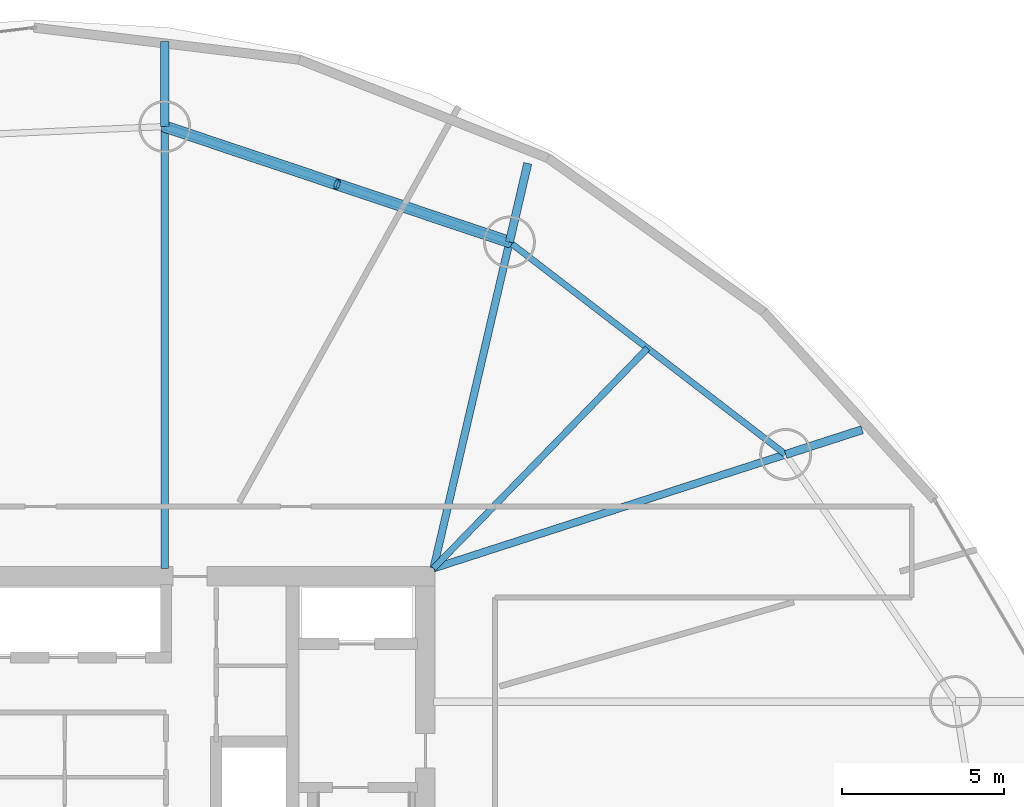
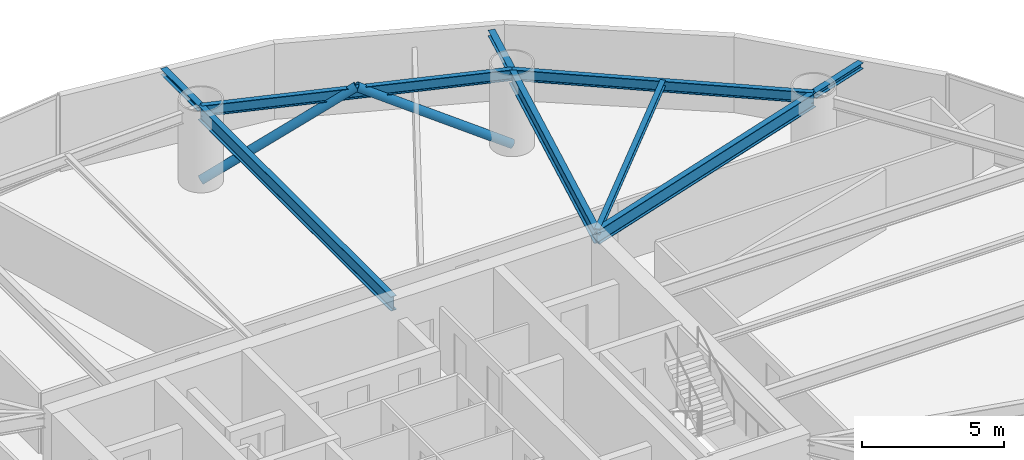
# One storey, part 20 of 30: 9 beams, 2 members.
"""IFC4 building model written with IfcOpenShell, lengths in metres."""

from ifc_helpers import new_model, si_unit, direction, frame, origin, origin_2d, place, context, subcontext, project, spatial, hollow_circle, i_section, extrude, material, material_profile, profile_set, type_object, element, save


model = new_model("IFC4")

# Units and contexts
model_context = context("Model", 3, precision=1e-05, world=origin(), true_north=direction((0.0, 1.0)))
body_context = subcontext(model_context, "Body", "Model", "MODEL_VIEW")
ifc_project = project(units=[si_unit("LENGTHUNIT", "METRE"), si_unit("AREAUNIT", "SQUARE_METRE"), si_unit("VOLUMEUNIT", "CUBIC_METRE"), si_unit("PLANEANGLEUNIT", "RADIAN"), si_unit("MASSUNIT", "GRAM", prefix="KILO")], contexts=[model_context])

# Site, building, storey
site_placement = place(None, origin())
site = spatial("IfcSite", under=ifc_project, at=site_placement, CompositionType="ELEMENT")
building_placement = place(site_placement, origin())
building = spatial("IfcBuilding", under=site, at=building_placement, Name="Bramvorn Convention Spire", CompositionType="ELEMENT")
storey_placement = place(building_placement, frame((0.0, 0.0, 90.39990234375)))
storey = spatial("IfcBuildingStorey", under=building, at=storey_placement, Name="L21", CompositionType="ELEMENT", Elevation=90.39990234375)

# Beams
ifc_material = material(Name="Steel CSA G40.21 Grade 350 (350W)", Category="steel")
ifc_material_profile_1 = material_profile(ifc_material, i_section(OverallWidth=0.201904296875, OverallDepth=0.2470703125, WebThickness=0.00732421875, FlangeThickness=0.010986328125, FilletRadius=0.011962890625, at=origin_2d()))
ifc_profile_set_1 = profile_set([ifc_material_profile_1], Name="Steel CSA G40.21 Grade 350 (350W) - W250X49")
beam_type_1 = type_object("IfcBeamType", Name="BM-W250X49", PredefinedType="JOIST", material=ifc_profile_set_1)
beam_1_placement = place(storey_placement, frame((49.25, 33.449951171875, 3.126708984375), z_axis=(0.697170484005, 0.716905374671, 0.0), x_axis=(-0.716905374671, 0.697170484005, 0.0)))
element("IfcBeam", 1, at=beam_1_placement, inside=storey, type_object=beam_type_1, Name="L21 composite floor joist 03", PredefinedType="JOIST", context=body_context, shape_type="SweptSolid", body=[
    extrude(i_section(OverallWidth=0.201904296875, OverallDepth=0.2470703125, WebThickness=0.00732421875, FlangeThickness=0.010986328125, FilletRadius=0.011962890625, at=origin_2d()), origin(), (0.0, 0.0, 1.0), 9.4638671875),
])
ifc_material_profile_2 = material_profile(ifc_material, i_section(OverallWidth=0.25390625, OverallDepth=0.2529296875, WebThickness=0.008544921875, FlangeThickness=0.01416015625, FilletRadius=0.011962890625, at=origin_2d()))
ifc_profile_set_2 = profile_set([ifc_material_profile_2], Name="Steel CSA G40.21 Grade 350 (350W) - W250X73")
beam_type_2 = type_object("IfcBeamType", Name="BM-W250X73", PredefinedType="BEAM", material=ifc_profile_set_2)
beam_2_placement = place(storey_placement, frame((60.105224609375, 36.960205078125, 3.12353515625), z_axis=(0.951480983775, 0.30770755193, 0.0), x_axis=(-0.30770755193, 0.951480983775, 0.0)))
element("IfcBeam", 2, at=beam_2_placement, inside=storey, type_object=beam_type_2, Name="L21 slab-edge cantilever tip beam MC03", PredefinedType="BEAM", context=body_context, shape_type="SweptSolid", body=[
    extrude(i_section(OverallWidth=0.25390625, OverallDepth=0.2529296875, WebThickness=0.008544921875, FlangeThickness=0.01416015625, FilletRadius=0.011962890625, at=origin_2d()), origin(), (0.0, 0.0, 1.0), 2.4794921875),
])
beam_3_placement = place(storey_placement, frame((51.59033203125, 43.509033203125, 3.12353515625), z_axis=(0.226535130765, 0.974002995134, 0.0), x_axis=(-0.974002995134, 0.226535130765, 0.0)))
element("IfcBeam", 3, at=beam_3_placement, inside=storey, type_object=beam_type_2, Name="L21 slab-edge cantilever tip beam MC04", PredefinedType="BEAM", context=body_context, shape_type="SweptSolid", body=[
    extrude(i_section(OverallWidth=0.25390625, OverallDepth=0.2529296875, WebThickness=0.008544921875, FlangeThickness=0.01416015625, FilletRadius=0.011962890625, at=origin_2d()), origin(), (0.0, 0.0, 1.0), 2.489501953125),
])
beam_4_placement = place(storey_placement, frame((40.9609375, 47.06884765625, 3.12353515625), z_axis=(0.0, 1.0, 0.0), x_axis=(-1.0, 0.0, 0.0)))
element("IfcBeam", 4, at=beam_4_placement, inside=storey, type_object=beam_type_2, Name="L21 slab-edge cantilever tip beam MC05", PredefinedType="BEAM", context=body_context, shape_type="SweptSolid", body=[
    extrude(i_section(OverallWidth=0.25390625, OverallDepth=0.2529296875, WebThickness=0.008544921875, FlangeThickness=0.01416015625, FilletRadius=0.011962890625, at=origin_2d()), origin(), (0.0, 0.0, 1.0), 2.625732421875),
])
ifc_material_profile_3 = material_profile(ifc_material, i_section(OverallWidth=0.194091796875, OverallDepth=0.468994140625, WebThickness=0.0126953125, FlangeThickness=0.0205078125, FilletRadius=0.01806640625, at=origin_2d()))
ifc_profile_set_3 = profile_set([ifc_material_profile_3], Name="Steel CSA G40.21 Grade 350 (350W) - W460X106")
beam_type_3 = type_object("IfcBeamType", Name="BM-W460X106", PredefinedType="SPANDREL", material=ifc_profile_set_3)
beam_5_placement = place(storey_placement, frame((60.105224609375, 36.960205078125, 3.015625), z_axis=(-0.792672990445, 0.609647053809, 0.0), x_axis=(-0.609647053809, -0.792672990445, 0.0)))
element("IfcBeam", 5, at=beam_5_placement, inside=storey, type_object=beam_type_3, Name="L21 mega-column ring beam 03", PredefinedType="SPANDREL", context=body_context, shape_type="SweptSolid", body=[
    extrude(i_section(OverallWidth=0.194091796875, OverallDepth=0.468994140625, WebThickness=0.0126953125, FlangeThickness=0.0205078125, FilletRadius=0.01806640625, at=origin_2d()), origin(), (0.0, 0.0, 1.0), 10.741943359375),
])
beam_6_placement = place(storey_placement, frame((51.59033203125, 43.509033203125, 3.015625), z_axis=(-0.948235872727, 0.317566890078, 0.0), x_axis=(-0.317566890078, -0.948235872727, 0.0)))
element("IfcBeam", 6, at=beam_6_placement, inside=storey, type_object=beam_type_3, Name="L21 mega-column ring beam 04", PredefinedType="SPANDREL", context=body_context, shape_type="SweptSolid", body=[
    extrude(i_section(OverallWidth=0.194091796875, OverallDepth=0.468994140625, WebThickness=0.0126953125, FlangeThickness=0.0205078125, FilletRadius=0.01806640625, at=origin_2d()), origin(), (0.0, 0.0, 1.0), 11.209716796875),
])
ifc_material_profile_4 = material_profile(ifc_material, i_section(OverallWidth=0.22998046875, OverallDepth=0.616943359375, WebThickness=0.01318359375, FlangeThickness=0.022216796875, FilletRadius=0.02001953125, at=origin_2d()))
ifc_profile_set_4 = profile_set([ifc_material_profile_4], Name="Steel CSA G40.21 Grade 350 (350W) - W610X140")
beam_type_4 = type_object("IfcBeamType", Name="BM-W610X140", PredefinedType="BEAM", material=ifc_profile_set_4)
beam_7_placement = place(storey_placement, frame((49.25, 33.449951171875, 2.941650390625), z_axis=(0.951488933275, 0.307682969719, 0.0), x_axis=(-0.307682969719, 0.951488933275, 0.0)))
element("IfcBeam", 7, at=beam_7_placement, inside=storey, type_object=beam_type_4, Name="L21 radial floor girder MC03", PredefinedType="BEAM", context=body_context, shape_type="SweptSolid", body=[
    extrude(i_section(OverallWidth=0.22998046875, OverallDepth=0.616943359375, WebThickness=0.01318359375, FlangeThickness=0.022216796875, FilletRadius=0.02001953125, at=origin_2d()), origin(), (0.0, 0.0, 1.0), 11.40869140625),
])
beam_8_placement = place(storey_placement, frame((49.25, 33.449951171875, 2.941650390625), z_axis=(0.226606328522, 0.973986433106, 0.0), x_axis=(-0.973986433106, 0.226606328522, 0.0)))
element("IfcBeam", 8, at=beam_8_placement, inside=storey, type_object=beam_type_4, Name="L21 radial floor girder MC04", PredefinedType="BEAM", context=body_context, shape_type="SweptSolid", body=[
    extrude(i_section(OverallWidth=0.22998046875, OverallDepth=0.616943359375, WebThickness=0.01318359375, FlangeThickness=0.022216796875, FilletRadius=0.02001953125, at=origin_2d()), origin(), (0.0, 0.0, 1.0), 10.32763671875),
])
beam_9_placement = place(storey_placement, frame((40.9609375, 33.449951171875, 2.941650390625), z_axis=(0.0, 1.0, 0.0), x_axis=(-1.0, 0.0, 0.0)))
element("IfcBeam", 9, at=beam_9_placement, inside=storey, type_object=beam_type_4, Name="L21 radial floor girder MC05", PredefinedType="BEAM", context=body_context, shape_type="SweptSolid", body=[
    extrude(i_section(OverallWidth=0.22998046875, OverallDepth=0.616943359375, WebThickness=0.01318359375, FlangeThickness=0.022216796875, FilletRadius=0.02001953125, at=origin_2d()), origin(), (0.0, 0.0, 1.0), 13.618896484375),
])

# Members
ifc_material_profile_5 = material_profile(ifc_material, hollow_circle(Radius=0.177734375, WallThickness=0.015869140625, at=origin_2d()))
ifc_profile_set_5 = profile_set([ifc_material_profile_5], Name="Steel CSA G40.21 Grade 350 (350W) - CHS356X16")
member_type = type_object("IfcMemberType", Name="MBR-CHS356X16", PredefinedType="BRACE", material=ifc_profile_set_5)
for number, where, z_axis, x_axis, name in (
    (10, (51.59033203125, 43.509033203125, 0.0), (-0.820300118259, 0.274739683138, 0.501623187756), (-0.31758647294, -0.948229314146, 0.0), "L21 perimeter Gothic lancet brace 4A"),
    (11, (40.9609375, 47.06884765625, 0.0), (0.820308610169, -0.274704844877, 0.501628380659), (0.31754730681, 0.948242430994, 0.0), "L21 perimeter Gothic lancet brace 4B"),
):
    element("IfcMember", number, at=place(storey_placement, frame(where, z_axis=z_axis, x_axis=x_axis)), inside=storey, type_object=member_type, Name=name, PredefinedType="BRACE", context=body_context, shape_type="SweptSolid", body=[
        extrude(hollow_circle(Radius=0.177734375, WallThickness=0.015869140625, at=origin_2d()), origin(), (0.0, 0.0, 1.0), 6.47900390625),
    ])

save(model, "model.ifc")
